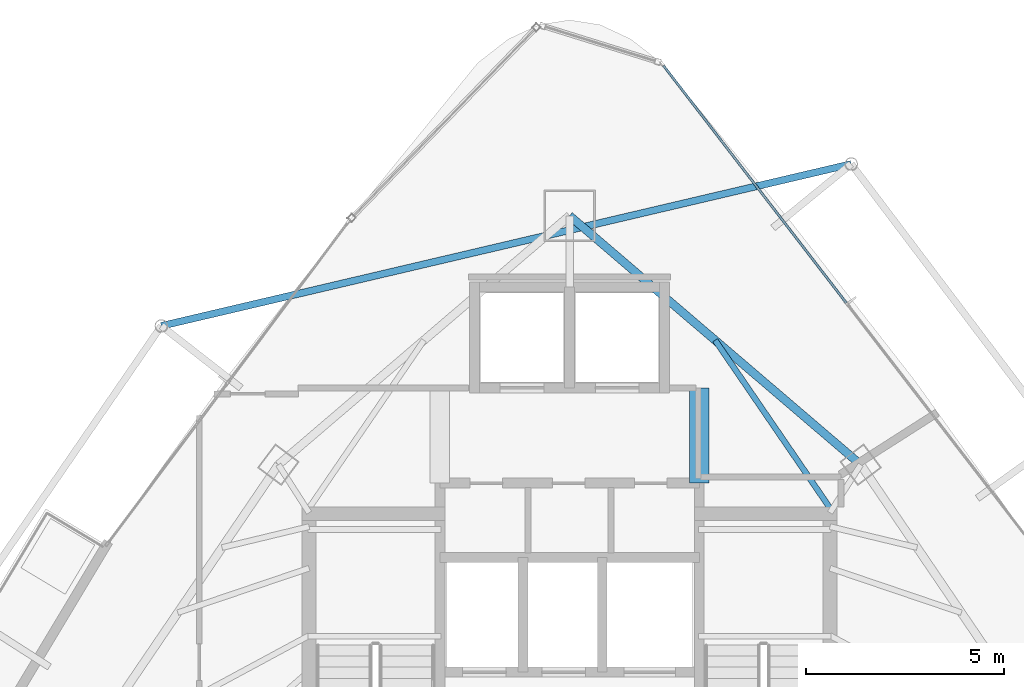
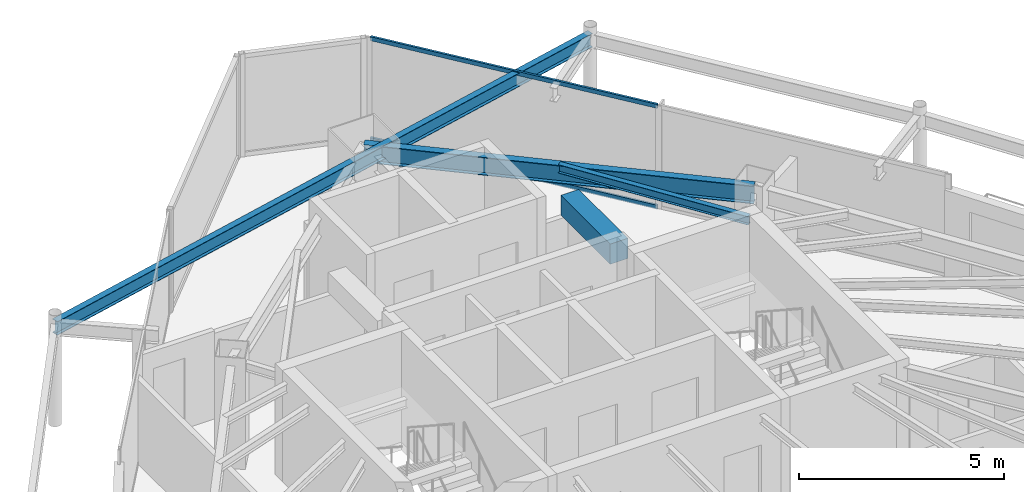
# One storey, part 24 of 33: 4 beams, 2 members, 1 element without a shape of its own.
"""IFC4 building model written with IfcOpenShell, lengths in metres."""

from ifc_helpers import new_model, si_unit, direction, frame, origin, origin_2d, place, context, subcontext, project, spatial, rectangle, hollow_rectangle, i_section, extrude, material, layer, layer_set, material_profile, profile_set, type_object, element, aggregate, save


model = new_model("IFC4")

# Units and contexts
model_context = context("Model", 3, precision=1e-05, world=origin(), true_north=direction((0.0, 1.0)))
body_context = subcontext(model_context, "Body", "Model", "MODEL_VIEW")
ifc_project = project(units=[si_unit("LENGTHUNIT", "METRE"), si_unit("AREAUNIT", "SQUARE_METRE"), si_unit("VOLUMEUNIT", "CUBIC_METRE"), si_unit("PLANEANGLEUNIT", "RADIAN"), si_unit("MASSUNIT", "GRAM", prefix="KILO")], contexts=[model_context])

# Site, building, storey
site_placement = place(None, origin())
site = spatial("IfcSite", under=ifc_project, at=site_placement, CompositionType="ELEMENT")
building_placement = place(site_placement, origin())
building = spatial("IfcBuilding", under=site, at=building_placement, Name="Orvanel Arch Residences", CompositionType="ELEMENT")
storey_placement = place(building_placement, frame((0.0, 0.0, 209.60009765625)))
storey = spatial("IfcBuildingStorey", under=building, at=storey_placement, Name="L59", CompositionType="ELEMENT", Elevation=209.60009765625)

# Beams
ifc_material_1 = material(Name="Structural steel AS/NZS 3679.1 Grade 300 (300 MPa)", Category="steel")
ifc_material_profile_1 = material_profile(ifc_material_1, i_section(OverallWidth=0.14599609375, OverallDepth=0.251953125, WebThickness=0.006103515625, FlangeThickness=0.008544921875, at=origin_2d()), Name="250UB31.4")
ifc_profile_set_1 = profile_set([ifc_material_profile_1], Name="Structural steel AS/NZS 3679.1 Grade 300 (300 MPa)")
beam_type_1 = type_object("IfcBeamType", Name="BJ-250UB", PredefinedType="JOIST", material=ifc_profile_set_1)
beam_1_placement = place(storey_placement, frame((39.574951171875, 34.02001953125, 2.933837890625), z_axis=(-0.564868085352, 0.825181220188, 0.0), x_axis=(-0.825181220188, -0.564868085352, 0.0)))
element("IfcBeam", 1, at=beam_1_placement, inside=storey, type_object=beam_type_1, Name="L59 NNE2 Wing Floor Joist", PredefinedType="JOIST", context=body_context, shape_type="SweptSolid", body=[
    extrude(i_section(OverallWidth=0.14599609375, OverallDepth=0.251953125, WebThickness=0.006103515625, FlangeThickness=0.008544921875, at=origin_2d()), origin(), (0.0, 0.0, 1.0), 5.132080078125),
])
ifc_material_2 = material(Name="Concrete S65 (65 MPa)", Category="concrete")
ifc_material_profile_2 = material_profile(ifc_material_2, rectangle(XDim=0.5, YDim=0.60009765625, at=origin_2d()), Name="RC500x600")
ifc_profile_set_2 = profile_set([ifc_material_profile_2], Name="Concrete S65 (65 MPa)")
beam_type_2 = type_object("IfcBeamType", Name="CB-500x600", PredefinedType="LINTEL", material=ifc_profile_set_2)
beam_2_placement = place(storey_placement, frame((36.27490234375, 34.64990234375, 2.760009765625), z_axis=(0.0, 1.0, 0.0), x_axis=(-1.0, 0.0, 0.0)))
element("IfcBeam", 2, at=beam_2_placement, inside=storey, type_object=beam_type_2, Name="L59 East Core Lobby Coupling Lintel Beam", PredefinedType="LINTEL", context=body_context, shape_type="SweptSolid", body=[
    extrude(rectangle(XDim=0.5, YDim=0.60009765625, at=origin_2d()), origin(), (0.0, 0.0, 1.0), 2.400146484375),
])
ifc_material_profile_3 = material_profile(ifc_material_1, i_section(OverallWidth=0.177978515625, OverallDepth=0.406005859375, WebThickness=0.0078125, FlangeThickness=0.0126953125, at=origin_2d()), Name="410UB59.7")
ifc_profile_set_3 = profile_set([ifc_material_profile_3], Name="Structural steel AS/NZS 3679.1 Grade 300 (300 MPa)")
beam_type_3 = type_object("IfcBeamType", Name="OB-410UB-EXT", PredefinedType="SPANDREL", material=ifc_profile_set_3)
beam_3_placement = place(storey_placement, frame((40.112060546875, 42.7041015625, 2.85693359375), z_axis=(-0.973556400368, -0.228446788778, 0.0), x_axis=(0.228446788778, -0.973556400368, 0.0)))
element("IfcBeam", 3, at=beam_3_placement, inside=storey, type_object=beam_type_3, Name="L59 Outer Perimeter Floor Ring Beam 12", PredefinedType="SPANDREL", context=body_context, shape_type="SweptSolid", body=[
    extrude(i_section(OverallWidth=0.177978515625, OverallDepth=0.406005859375, WebThickness=0.0078125, FlangeThickness=0.0126953125, at=origin_2d()), origin(), (0.0, 0.0, 1.0), 17.89111328125),
])
ifc_material_profile_4 = material_profile(ifc_material_1, i_section(OverallWidth=0.208984375, OverallDepth=0.532958984375, WebThickness=0.01025390625, FlangeThickness=0.015625, at=origin_2d()), Name="530UB92.4")
ifc_profile_set_4 = profile_set([ifc_material_profile_4], Name="Structural steel AS/NZS 3679.1 Grade 300 (300 MPa)")
beam_type_4 = type_object("IfcBeamType", Name="SP-530UB", PredefinedType="SPANDREL", material=ifc_profile_set_4)
beam_4_placement = place(storey_placement, frame((40.35205078125, 35.113037109375, 2.79296875), z_axis=(-0.760116518398, 0.649786794617, 0.0), x_axis=(-0.649786794617, -0.760116518398, 0.0)))
element("IfcBeam", 4, at=beam_4_placement, inside=storey, type_object=beam_type_4, Name="L59 Perimeter Spandrel Beam 09", PredefinedType="SPANDREL", context=body_context, shape_type="SweptSolid", body=[
    extrude(i_section(OverallWidth=0.208984375, OverallDepth=0.532958984375, WebThickness=0.01025390625, FlangeThickness=0.015625, at=origin_2d()), origin(), (0.0, 0.0, 1.0), 9.67236328125),
])

# Curtain wall, members
ifc_material_3 = material(Name="Bronze-anodised aluminium AA6063-T6", Category="aluminium")
ifc_layer = layer(ifc_material_3, 0.175048828125)
ifc_layer_set = layer_set([ifc_layer], Name="Bronze-anodised aluminium AA6063-T6")
curtain_wall_type = type_object("IfcCurtainWallType", Name="CW4-HI-SYS", PredefinedType="NOTDEFINED", material=ifc_layer_set)
curtain_wall_placement = place(storey_placement, origin())
curtain_wall = element("IfcCurtainWall", 5, at=curtain_wall_placement, inside=storey, type_object=curtain_wall_type, Name="L59 CW4-HI-SYS Unitised Curtain Wall", PredefinedType="NOTDEFINED")
ifc_material_profile_5 = material_profile(ifc_material_3, hollow_rectangle(XDim=0.06005859375, YDim=0.1201171875, WallThickness=0.00341796875, at=origin_2d()), Name="ALU120x60x3.5")
ifc_profile_set_5 = profile_set([ifc_material_profile_5], Name="Bronze-anodised aluminium AA6063-T6")
member_type = type_object("IfcMemberType", Name="TRN-120x60", PredefinedType="USERDEFINED", material=ifc_profile_set_5)
member_1_placement = place(storey_placement, frame((39.987548828125, 39.19775390625, 0.02978515625), z_axis=(-0.610326524777, 0.792149943605, 0.0), x_axis=(-0.792149943605, -0.610326524777, 0.0)))
member_1 = element("IfcMember", 6, at=member_1_placement, type_object=member_type, Name="CW-S4 transom 2.1", ObjectType="TRANSOM", PredefinedType="USERDEFINED", context=body_context, shape_type="SweptSolid", body=[
    extrude(hollow_rectangle(XDim=0.06005859375, YDim=0.1201171875, WallThickness=0.00341796875, at=origin_2d()), origin(), (0.0, 0.0, 1.0), 7.56640625),
])
member_2_placement = place(storey_placement, frame((39.987548828125, 39.19775390625, 3.02978515625), z_axis=(-0.610326524777, 0.792149943605, 0.0), x_axis=(-0.792149943605, -0.610326524777, 0.0)))
member_2 = element("IfcMember", 7, at=member_2_placement, type_object=member_type, Name="CW-S4 transom 2.2", ObjectType="TRANSOM", PredefinedType="USERDEFINED", context=body_context, shape_type="SweptSolid", body=[
    extrude(hollow_rectangle(XDim=0.06005859375, YDim=0.1201171875, WallThickness=0.00341796875, at=origin_2d()), origin(), (0.0, 0.0, 1.0), 7.56640625),
])
aggregate(curtain_wall, [member_1, member_2])

save(model, "model.ifc")
